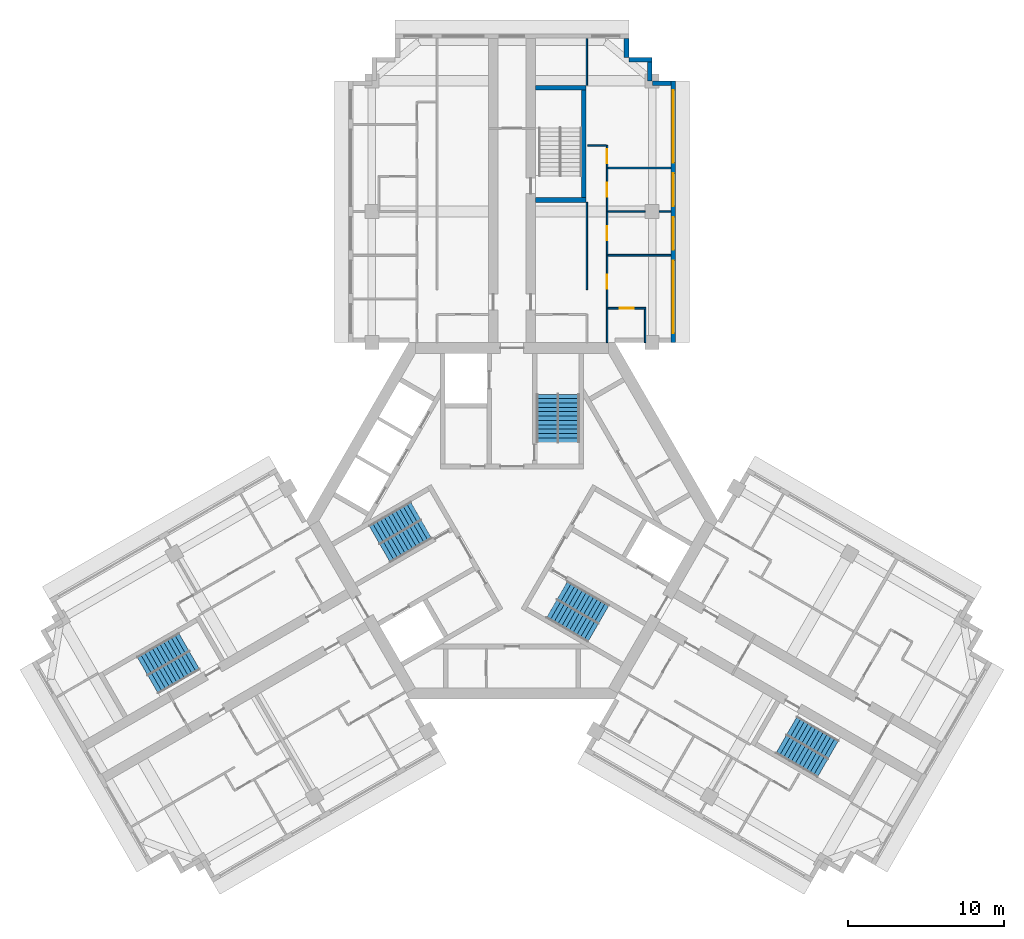
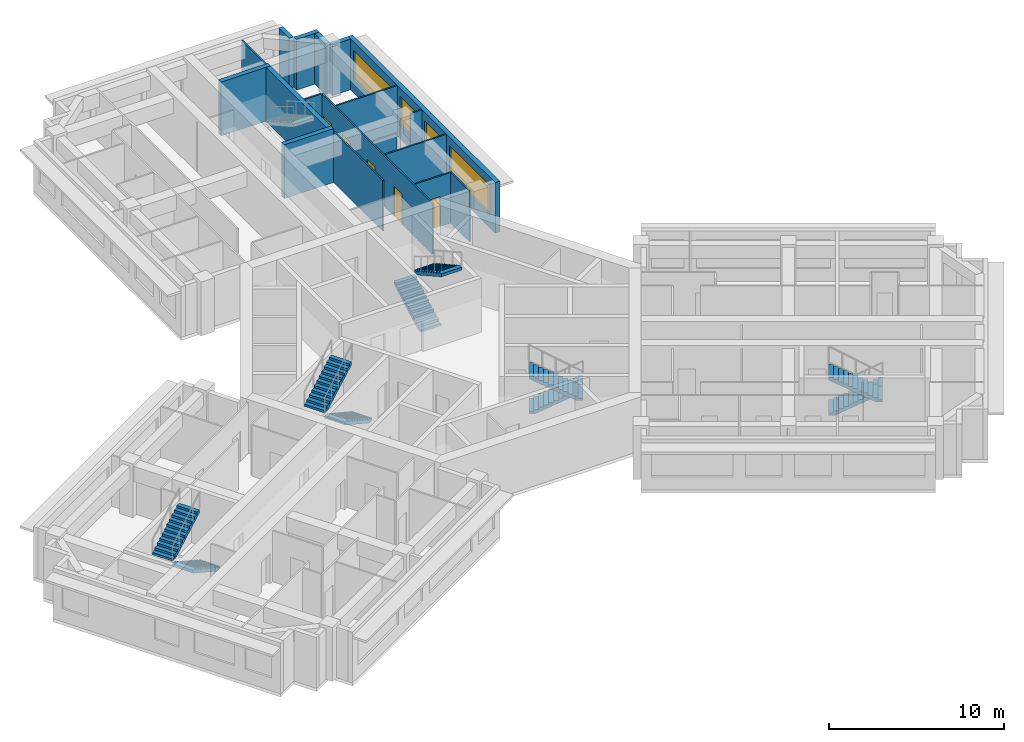
# One storey, part 8 of 10: 18 walls, 10 stair flights, 5 doors, 4 windows, 9 openings, 5 elements without a shape of their own.
"""IFC4 building model written with IfcOpenShell, lengths in metres."""

from ifc_helpers import new_model, si_unit, direction, frame, frame_2d, origin, place, context, subcontext, project, spatial, polyline, rectangle, outline, extrude, material, layer, layer_set, type_object, element, fill, aggregate, save


model = new_model("IFC4")

# Units and contexts
model_context = context("Model", 3, precision=1e-05, world=origin(), true_north=direction((0.0, 1.0)))
body_context = subcontext(model_context, "Body", "Model", "MODEL_VIEW")
ifc_project = project(units=[si_unit("LENGTHUNIT", "METRE"), si_unit("AREAUNIT", "SQUARE_METRE"), si_unit("VOLUMEUNIT", "CUBIC_METRE"), si_unit("PLANEANGLEUNIT", "RADIAN"), si_unit("MASSUNIT", "GRAM", prefix="KILO")], contexts=[model_context])

# Site, building, storey
site_placement = place(None, origin())
site = spatial("IfcSite", under=ifc_project, at=site_placement, CompositionType="ELEMENT")
building_placement = place(site_placement, origin())
building = spatial("IfcBuilding", under=site, at=building_placement, Name="Impinga Residences", CompositionType="ELEMENT")
storey_placement = place(building_placement, frame((0.0, 0.0, 252.25)))
storey = spatial("IfcBuildingStorey", under=building, at=storey_placement, Name="L63", CompositionType="ELEMENT", Elevation=252.25)

# Walls
ifc_material_1 = material(Name="Terracotta rainscreen on blockwork", Category="masonry")
ifc_layer_1 = layer(ifc_material_1, 0.300048828125)
ifc_layer_set_1 = layer_set([ifc_layer_1], Name="EW1 external wall, terracotta rainscreen on blockwork 300")
wall_type_1 = type_object("IfcWallType", Name="EW1 external wall, terracotta rainscreen on blockwork 300", PredefinedType="SOLIDWALL", material=ifc_layer_set_1)
wall_1_placement = place(storey_placement, frame((7.35009765625, 30.931640625, 0.0), z_axis=(0.0, 0.0, 1.0), x_axis=(0.0, -1.0, 0.0)))
element("IfcWall", 1, at=wall_1_placement, inside=storey, type_object=wall_type_1, Name="External wall EW1 L63", PredefinedType="SOLIDWALL", context=body_context, shape_type="SweptSolid", body=[
    extrude(rectangle(XDim=1.195068359375, YDim=0.300048828125, at=frame_2d((0.59765625, 0.0))), origin(), (0.0, 0.0, 1.0), 3.530029296875),
])
wall_2_placement = place(storey_placement, frame((7.5, 29.58154296875, 0.0), z_axis=(0.0, 0.0, 1.0), x_axis=(1.0, 0.0, 0.0)))
element("IfcWall", 2, at=wall_2_placement, inside=storey, type_object=wall_type_1, Name="External wall EW1 L63", PredefinedType="SOLIDWALL", context=body_context, shape_type="SweptSolid", body=[
    extrude(rectangle(XDim=1.5, YDim=0.300048828125, at=frame_2d((0.75, 0.0))), origin(), (0.0, 0.0, 1.0), 3.530029296875),
])
wall_3_placement = place(storey_placement, frame((8.85009765625, 29.431640625, 0.0), z_axis=(0.0, 0.0, 1.0), x_axis=(0.0, -1.0, 0.0)))
element("IfcWall", 3, at=wall_3_placement, inside=storey, type_object=wall_type_1, Name="External wall EW1 L63", PredefinedType="SOLIDWALL", context=body_context, shape_type="SweptSolid", body=[
    extrude(rectangle(XDim=1.2001953125, YDim=0.300048828125, at=frame_2d((0.60009765625, 0.0))), origin(), (0.0, 0.0, 1.0), 3.530029296875),
])
wall_4_placement = place(storey_placement, frame((9.0048828125, 28.08154296875, 0.0), z_axis=(0.0, 0.0, 1.0), x_axis=(1.0, 0.0, 0.0)))
element("IfcWall", 4, at=wall_4_placement, inside=storey, type_object=wall_type_1, Name="External wall EW1 L63", PredefinedType="SOLIDWALL", context=body_context, shape_type="SweptSolid", body=[
    extrude(rectangle(XDim=1.195068359375, YDim=0.300048828125, at=frame_2d((0.59765625, 0.0))), origin(), (0.0, 0.0, 1.0), 3.530029296875),
])

# Wall, openings, windows
wall_5_placement = place(storey_placement, frame((10.35009765625, 28.2314453125, 0.0), z_axis=(0.0, 0.0, 1.0), x_axis=(0.0, -1.0, 0.0)))
wall_5 = element("IfcWall", 5, at=wall_5_placement, inside=storey, type_object=wall_type_1, Name="External wall EW1 L63", PredefinedType="SOLIDWALL", context=body_context, shape_type="SweptSolid", body=[
    extrude(rectangle(XDim=16.7998046875, YDim=0.300048828125, at=frame_2d((8.39990234375, 0.0))), origin(), (0.0, 0.0, 1.0), 3.530029296875),
])
opening_1_placement = place(wall_5_placement, frame((0.60009765625, 0.0, 0.89990234375)))
opening_1 = element("IfcOpeningElement", 6, at=opening_1_placement, cuts=wall_5, Name="Opening W10", PredefinedType="OPENING", context=body_context, shape_type="SweptSolid", body=[
    extrude(rectangle(XDim=4.64990234375, YDim=2.050048828125, at=frame_2d((2.324951171875, 1.02490234375))), frame((0.0, 0.159912109375, 0.0), z_axis=(0.0, -1.0, 0.0), x_axis=(1.0, 0.0, 0.0)), (0.0, 0.0, 1.0), 0.320068359375),
])
opening_2_placement = place(wall_5_placement, frame((5.949951171875, 0.0, 0.89990234375)))
opening_2 = element("IfcOpeningElement", 7, at=opening_2_placement, cuts=wall_5, Name="Opening W9", PredefinedType="OPENING", context=body_context, shape_type="SweptSolid", body=[
    extrude(rectangle(XDim=2.10009765625, YDim=2.050048828125, at=frame_2d((1.050048828125, 1.02490234375))), frame((0.0, 0.159912109375, 0.0), z_axis=(0.0, -1.0, 0.0), x_axis=(1.0, 0.0, 0.0)), (0.0, 0.0, 1.0), 0.320068359375),
])
opening_3_placement = place(wall_5_placement, frame((8.75, 0.0, 0.89990234375)))
opening_3 = element("IfcOpeningElement", 8, at=opening_3_placement, cuts=wall_5, Name="Opening W9", PredefinedType="OPENING", context=body_context, shape_type="SweptSolid", body=[
    extrude(rectangle(XDim=2.10009765625, YDim=2.050048828125, at=frame_2d((1.050048828125, 1.02490234375))), frame((0.0, 0.159912109375, 0.0), z_axis=(0.0, -1.0, 0.0), x_axis=(1.0, 0.0, 0.0)), (0.0, 0.0, 1.0), 0.320068359375),
])
opening_4_placement = place(wall_5_placement, frame((11.550048828125, 0.0, 0.89990234375)))
opening_4 = element("IfcOpeningElement", 9, at=opening_4_placement, cuts=wall_5, Name="Opening W10", PredefinedType="OPENING", context=body_context, shape_type="SweptSolid", body=[
    extrude(rectangle(XDim=4.64990234375, YDim=2.050048828125, at=frame_2d((2.324951171875, 1.02490234375))), frame((0.0, 0.159912109375, 0.0), z_axis=(0.0, -1.0, 0.0), x_axis=(1.0, 0.0, 0.0)), (0.0, 0.0, 1.0), 0.320068359375),
])
ifc_material_2 = material(Name="Aluminium window, clear double glazing", Category="aluminium")
window_type_1 = type_object("IfcWindowType", Name="W10 ribbon window 4650x2050", PartitioningType="SINGLE_PANEL", PredefinedType="WINDOW", material=ifc_material_2)
window_1_placement = place(opening_1_placement, origin())
window_1 = element("IfcWindow", 10, at=window_1_placement, inside=storey, type_object=window_type_1, Name="Window L63", OverallHeight=2.050048828125, OverallWidth=4.64990234375, PartitioningType="SINGLE_PANEL", PredefinedType="WINDOW", context=body_context, shape_type="SweptSolid", body=[
    extrude(rectangle(XDim=4.64990234375, YDim=2.050048828125, at=frame_2d((2.324951171875, 1.02490234375))), frame((0.0, 0.030029296875, 0.0), z_axis=(0.0, -1.0, 0.0), x_axis=(1.0, 0.0, 0.0)), (0.0, 0.0, 1.0), 0.06005859375),
])
fill(opening_1, window_1)
window_2_placement = place(opening_4_placement, origin())
window_2 = element("IfcWindow", 11, at=window_2_placement, inside=storey, type_object=window_type_1, Name="Window L63", OverallHeight=2.050048828125, OverallWidth=4.64990234375, PartitioningType="SINGLE_PANEL", PredefinedType="WINDOW", context=body_context, shape_type="SweptSolid", body=[
    extrude(rectangle(XDim=4.64990234375, YDim=2.050048828125, at=frame_2d((2.324951171875, 1.02490234375))), frame((0.0, 0.030029296875, 0.0), z_axis=(0.0, -1.0, 0.0), x_axis=(1.0, 0.0, 0.0)), (0.0, 0.0, 1.0), 0.06005859375),
])
fill(opening_4, window_2)
window_type_2 = type_object("IfcWindowType", Name="W9 ribbon window 2100x2050", PartitioningType="SINGLE_PANEL", PredefinedType="WINDOW", material=ifc_material_2)
window_3_placement = place(opening_2_placement, origin())
window_3 = element("IfcWindow", 12, at=window_3_placement, inside=storey, type_object=window_type_2, Name="Window L63", OverallHeight=2.050048828125, OverallWidth=2.10009765625, PartitioningType="SINGLE_PANEL", PredefinedType="WINDOW", context=body_context, shape_type="SweptSolid", body=[
    extrude(rectangle(XDim=2.10009765625, YDim=2.050048828125, at=frame_2d((1.050048828125, 1.02490234375))), frame((0.0, 0.030029296875, 0.0), z_axis=(0.0, -1.0, 0.0), x_axis=(1.0, 0.0, 0.0)), (0.0, 0.0, 1.0), 0.06005859375),
])
fill(opening_2, window_3)
window_4_placement = place(opening_3_placement, origin())
window_4 = element("IfcWindow", 13, at=window_4_placement, inside=storey, type_object=window_type_2, Name="Window L63", OverallHeight=2.050048828125, OverallWidth=2.10009765625, PartitioningType="SINGLE_PANEL", PredefinedType="WINDOW", context=body_context, shape_type="SweptSolid", body=[
    extrude(rectangle(XDim=2.10009765625, YDim=2.050048828125, at=frame_2d((1.050048828125, 1.02490234375))), frame((0.0, 0.030029296875, 0.0), z_axis=(0.0, -1.0, 0.0), x_axis=(1.0, 0.0, 0.0)), (0.0, 0.0, 1.0), 0.06005859375),
])
fill(opening_3, window_4)

# Walls
ifc_material_3 = material(Name="Gypsum board on steel studs", Category="steel")
ifc_layer_2 = layer(ifc_material_3, 0.10009765625)
ifc_layer_set_2 = layer_set([ifc_layer_2], Name="Gypsum board on steel studs")
wall_type_2 = type_object("IfcWallType", Name="IP1 partition 100", PredefinedType="PARTITIONING", material=ifc_layer_set_2)
wall_6_placement = place(storey_placement, frame((4.800048828125, 14.83154296875, 0.0), z_axis=(0.0, 0.0, 1.0), x_axis=(0.0, 1.0, 0.0)))
element("IfcWall", 14, at=wall_6_placement, inside=storey, type_object=wall_type_2, Name="Partition L63-NF1:DIV1", PredefinedType="PARTITIONING", context=body_context, shape_type="SweptSolid", body=[
    extrude(rectangle(XDim=5.60009765625, YDim=0.10009765625, at=frame_2d((2.800048828125, 0.0))), origin(), (0.0, 0.0, 1.0), 3.530029296875),
])
wall_7_placement = place(storey_placement, frame((4.800048828125, 27.931640625, 0.0), z_axis=(0.0, 0.0, 1.0), x_axis=(0.0, 1.0, 0.0)))
element("IfcWall", 15, at=wall_7_placement, inside=storey, type_object=wall_type_2, Name="Partition L63-NF1:DIV2", PredefinedType="PARTITIONING", context=body_context, shape_type="SweptSolid", body=[
    extrude(rectangle(XDim=3.0, YDim=0.10009765625, at=frame_2d((1.5, 0.0))), origin(), (0.0, 0.0, 1.0), 3.530029296875),
])

# Wall, openings, doors
wall_8_placement = place(storey_placement, frame((6.10009765625, 11.431640625, 0.0), z_axis=(0.0, 0.0, 1.0), x_axis=(0.0, 1.0, 0.0)))
wall_8 = element("IfcWall", 16, at=wall_8_placement, inside=storey, type_object=wall_type_2, Name="Partition L63-NF1:STRIP", PredefinedType="PARTITIONING", context=body_context, shape_type="SweptSolid", body=[
    extrude(rectangle(XDim=12.64990234375, YDim=0.10009765625, at=frame_2d((6.324951171875, 0.0))), origin(), (0.0, 0.0, 1.0), 3.530029296875),
])
opening_5_placement = place(wall_8_placement, frame((3.449951171875, 0.0, 0.0)))
opening_5 = element("IfcOpeningElement", 17, at=opening_5_placement, cuts=wall_8, Name="Opening D2", PredefinedType="OPENING", context=body_context, shape_type="SweptSolid", body=[
    extrude(rectangle(XDim=0.89990234375, YDim=2.10009765625, at=frame_2d((0.449951171875, 1.050048828125))), frame((0.0, 0.06005859375, 0.0), z_axis=(0.0, -1.0, 0.0), x_axis=(1.0, 0.0, 0.0)), (0.0, 0.0, 1.0), 0.1201171875),
])
opening_6_placement = place(wall_8_placement, frame((6.550048828125, 0.0, 0.0)))
opening_6 = element("IfcOpeningElement", 18, at=opening_6_placement, cuts=wall_8, Name="Opening D2", PredefinedType="OPENING", context=body_context, shape_type="SweptSolid", body=[
    extrude(rectangle(XDim=0.89990234375, YDim=2.10009765625, at=frame_2d((0.449951171875, 1.050048828125))), frame((0.0, 0.06005859375, 0.0), z_axis=(0.0, -1.0, 0.0), x_axis=(1.0, 0.0, 0.0)), (0.0, 0.0, 1.0), 0.1201171875),
])
opening_7_placement = place(wall_8_placement, frame((9.35009765625, 0.0, 0.0)))
opening_7 = element("IfcOpeningElement", 19, at=opening_7_placement, cuts=wall_8, Name="Opening D2", PredefinedType="OPENING", context=body_context, shape_type="SweptSolid", body=[
    extrude(rectangle(XDim=0.89990234375, YDim=2.10009765625, at=frame_2d((0.449951171875, 1.050048828125))), frame((0.0, 0.06005859375, 0.0), z_axis=(0.0, -1.0, 0.0), x_axis=(1.0, 0.0, 0.0)), (0.0, 0.0, 1.0), 0.1201171875),
])
opening_8_placement = place(wall_8_placement, frame((11.5, 0.0, 0.0)))
opening_8 = element("IfcOpeningElement", 20, at=opening_8_placement, cuts=wall_8, Name="Opening D2", PredefinedType="OPENING", context=body_context, shape_type="SweptSolid", body=[
    extrude(rectangle(XDim=0.89990234375, YDim=2.10009765625, at=frame_2d((0.449951171875, 1.050048828125))), frame((0.0, 0.06005859375, 0.0), z_axis=(0.0, -1.0, 0.0), x_axis=(1.0, 0.0, 0.0)), (0.0, 0.0, 1.0), 0.1201171875),
])
ifc_material_4 = material(Name="Timber door set", Category="wood")
door_type = type_object("IfcDoorType", Name="D2 internal door 900x2100", OperationType="SINGLE_SWING_LEFT", PredefinedType="DOOR", material=ifc_material_4)
door_1_placement = place(opening_5_placement, origin())
door_1 = element("IfcDoor", 21, at=door_1_placement, inside=storey, type_object=door_type, Name="Apartment L63-NF1 room door", OperationType="SINGLE_SWING_LEFT", OverallHeight=2.10009765625, OverallWidth=0.89990234375, PredefinedType="DOOR", context=body_context, shape_type="SweptSolid", body=[
    extrude(rectangle(XDim=0.89990234375, YDim=2.10009765625, at=frame_2d((0.449951171875, 1.050048828125))), frame((0.0, 0.02490234375, 0.0), z_axis=(0.0, -1.0, 0.0), x_axis=(1.0, 0.0, 0.0)), (0.0, 0.0, 1.0), 0.050048828125),
])
fill(opening_5, door_1)
door_2_placement = place(opening_6_placement, origin())
door_2 = element("IfcDoor", 22, at=door_2_placement, inside=storey, type_object=door_type, Name="Apartment L63-NF1 room door", OperationType="SINGLE_SWING_RIGHT", OverallHeight=2.10009765625, OverallWidth=0.89990234375, PredefinedType="DOOR", context=body_context, shape_type="SweptSolid", body=[
    extrude(rectangle(XDim=0.89990234375, YDim=2.10009765625, at=frame_2d((0.449951171875, 1.050048828125))), frame((0.0, 0.02490234375, 0.0), z_axis=(0.0, -1.0, 0.0), x_axis=(1.0, 0.0, 0.0)), (0.0, 0.0, 1.0), 0.050048828125),
])
fill(opening_6, door_2)
door_3_placement = place(opening_7_placement, origin())
door_3 = element("IfcDoor", 23, at=door_3_placement, inside=storey, type_object=door_type, Name="Apartment L63-NF1 room door", OperationType="SINGLE_SWING_RIGHT", OverallHeight=2.10009765625, OverallWidth=0.89990234375, PredefinedType="DOOR", context=body_context, shape_type="SweptSolid", body=[
    extrude(rectangle(XDim=0.89990234375, YDim=2.10009765625, at=frame_2d((0.449951171875, 1.050048828125))), frame((0.0, 0.02490234375, 0.0), z_axis=(0.0, -1.0, 0.0), x_axis=(1.0, 0.0, 0.0)), (0.0, 0.0, 1.0), 0.050048828125),
])
fill(opening_7, door_3)
door_4_placement = place(opening_8_placement, origin())
door_4 = element("IfcDoor", 24, at=door_4_placement, inside=storey, type_object=door_type, Name="Apartment L63-NF1 room door", OperationType="SINGLE_SWING_RIGHT", OverallHeight=2.10009765625, OverallWidth=0.89990234375, PredefinedType="DOOR", context=body_context, shape_type="SweptSolid", body=[
    extrude(rectangle(XDim=0.89990234375, YDim=2.10009765625, at=frame_2d((0.449951171875, 1.050048828125))), frame((0.0, 0.02490234375, 0.0), z_axis=(0.0, -1.0, 0.0), x_axis=(1.0, 0.0, 0.0)), (0.0, 0.0, 1.0), 0.050048828125),
])
fill(opening_8, door_4)

# Walls
wall_9_placement = place(storey_placement, frame((4.85009765625, 24.08154296875, 0.0), z_axis=(0.0, 0.0, 1.0), x_axis=(1.0, 0.0, 0.0)))
element("IfcWall", 25, at=wall_9_placement, inside=storey, type_object=wall_type_2, Name="Partition L63-NF1:SE1", PredefinedType="PARTITIONING", context=body_context, shape_type="SweptSolid", body=[
    extrude(rectangle(XDim=1.199951171875, YDim=0.10009765625, at=frame_2d((0.60009765625, 0.0))), origin(), (0.0, 0.0, 1.0), 3.530029296875),
])
wall_10_placement = place(storey_placement, frame((6.14990234375, 17.031494140625, 0.0), z_axis=(0.0, 0.0, 1.0), x_axis=(1.0, 0.0, 0.0)))
element("IfcWall", 26, at=wall_10_placement, inside=storey, type_object=wall_type_2, Name="Partition L63-NF1:OB1", PredefinedType="PARTITIONING", context=body_context, shape_type="SweptSolid", body=[
    extrude(rectangle(XDim=4.050048828125, YDim=0.10009765625, at=frame_2d((2.02490234375, 0.0))), origin(), (0.0, 0.0, 1.0), 3.530029296875),
])
wall_11_placement = place(storey_placement, frame((6.14990234375, 19.83154296875, 0.0), z_axis=(0.0, 0.0, 1.0), x_axis=(1.0, 0.0, 0.0)))
element("IfcWall", 27, at=wall_11_placement, inside=storey, type_object=wall_type_2, Name="Partition L63-NF1:OB2", PredefinedType="PARTITIONING", context=body_context, shape_type="SweptSolid", body=[
    extrude(rectangle(XDim=2.400146484375, YDim=0.10009765625, at=frame_2d((1.2001953125, 0.0))), origin(), (0.0, 0.0, 1.0), 2.47998046875),
])
wall_12_placement = place(storey_placement, frame((9.449951171875, 19.83154296875, 0.0), z_axis=(0.0, 0.0, 1.0), x_axis=(1.0, 0.0, 0.0)))
element("IfcWall", 28, at=wall_12_placement, inside=storey, type_object=wall_type_2, Name="Partition L63-NF1:OB2b", PredefinedType="PARTITIONING", context=body_context, shape_type="SweptSolid", body=[
    extrude(rectangle(XDim=0.75, YDim=0.10009765625, at=frame_2d((0.375, 0.0))), origin(), (0.0, 0.0, 1.0), 3.530029296875),
])
wall_13_placement = place(storey_placement, frame((6.14990234375, 22.631591796875, 0.0), z_axis=(0.0, 0.0, 1.0), x_axis=(1.0, 0.0, 0.0)))
element("IfcWall", 29, at=wall_13_placement, inside=storey, type_object=wall_type_2, Name="Partition L63-NF1:OB3", PredefinedType="PARTITIONING", context=body_context, shape_type="SweptSolid", body=[
    extrude(rectangle(XDim=4.050048828125, YDim=0.10009765625, at=frame_2d((2.02490234375, 0.0))), origin(), (0.0, 0.0, 1.0), 3.530029296875),
])

# Wall, opening, door
wall_14_placement = place(storey_placement, frame((6.14990234375, 13.631591796875, 0.0), z_axis=(0.0, 0.0, 1.0), x_axis=(1.0, 0.0, 0.0)))
wall_14 = element("IfcWall", 30, at=wall_14_placement, inside=storey, type_object=wall_type_2, Name="Partition L63-NF1:EN1", PredefinedType="PARTITIONING", context=body_context, shape_type="SweptSolid", body=[
    extrude(rectangle(XDim=2.4501953125, YDim=0.10009765625, at=frame_2d((1.22509765625, 0.0))), origin(), (0.0, 0.0, 1.0), 3.530029296875),
])
opening_9_placement = place(wall_14_placement, frame((0.75, 0.0, 0.0)))
opening_9 = element("IfcOpeningElement", 31, at=opening_9_placement, cuts=wall_14, Name="Opening D2", PredefinedType="OPENING", context=body_context, shape_type="SweptSolid", body=[
    extrude(rectangle(XDim=0.89990234375, YDim=2.10009765625, at=frame_2d((0.449951171875, 1.050048828125))), frame((0.0, 0.06005859375, 0.0), z_axis=(0.0, -1.0, 0.0), x_axis=(1.0, 0.0, 0.0)), (0.0, 0.0, 1.0), 0.1201171875),
])
door_5_placement = place(opening_9_placement, origin())
door_5 = element("IfcDoor", 32, at=door_5_placement, inside=storey, type_object=door_type, Name="Apartment L63-NF1 en-suite door", OperationType="SINGLE_SWING_LEFT", OverallHeight=2.10009765625, OverallWidth=0.89990234375, PredefinedType="DOOR", context=body_context, shape_type="SweptSolid", body=[
    extrude(rectangle(XDim=0.89990234375, YDim=2.10009765625, at=frame_2d((0.449951171875, 1.050048828125))), frame((0.0, 0.02490234375, 0.0), z_axis=(0.0, -1.0, 0.0), x_axis=(1.0, 0.0, 0.0)), (0.0, 0.0, 1.0), 0.050048828125),
])
fill(opening_9, door_5)

# Walls
wall_15_placement = place(storey_placement, frame((8.550048828125, 11.431640625, 0.0), z_axis=(0.0, 0.0, 1.0), x_axis=(0.0, 1.0, 0.0)))
element("IfcWall", 33, at=wall_15_placement, inside=storey, type_object=wall_type_2, Name="Partition L63-NF1:EN2", PredefinedType="PARTITIONING", context=body_context, shape_type="SweptSolid", body=[
    extrude(rectangle(XDim=2.14990234375, YDim=0.10009765625, at=frame_2d((1.074951171875, 0.0))), origin(), (0.0, 0.0, 1.0), 3.530029296875),
])
ifc_material_5 = material(Name="Concrete C60/75", Category="concrete")
ifc_layer_3 = layer(ifc_material_5, 0.300048828125)
ifc_layer_set_3 = layer_set([ifc_layer_3], Name="Concrete C60/75")
wall_type_3 = type_object("IfcWallType", Name="SE1 wing stair enclosure wall 300", PredefinedType="SOLIDWALL", material=ifc_layer_set_3)
for number, where, z_axis, x_axis, name in (
    (34, (1.5, 20.58154296875, 0.0), (0.0, 0.0, 1.0), (1.0, 0.0, 0.0), "Stair enclosure wall SE1 N END0 L63"),
    (35, (1.5, 27.781494140625, 0.0), (0.0, 0.0, 1.0), (1.0, 0.0, 0.0), "Stair enclosure wall SE1 N END1 L63"),
):
    element("IfcWall", number, at=place(storey_placement, frame(where, z_axis=z_axis, x_axis=x_axis)), inside=storey, type_object=wall_type_3, Name=name, PredefinedType="SOLIDWALL", context=body_context, shape_type="SweptSolid", body=[
        extrude(rectangle(XDim=3.25, YDim=0.300048828125, at=frame_2d((1.625, 0.0))), origin(), (0.0, 0.0, 1.0), 3.75),
    ])
wall_16_placement = place(storey_placement, frame((4.60009765625, 20.7314453125, 0.0), z_axis=(0.0, 0.0, 1.0), x_axis=(0.0, 1.0, 0.0)))
element("IfcWall", 36, at=wall_16_placement, inside=storey, type_object=wall_type_3, Name="Stair enclosure wall SE1 N OUT L63", PredefinedType="SOLIDWALL", context=body_context, shape_type="SweptSolid", body=[
    extrude(rectangle(XDim=6.900146484375, YDim=0.300048828125, at=frame_2d((3.4501953125, 0.0))), origin(), (0.0, 0.0, 1.0), 3.75),
])

# Stair, stair flights
ifc_material_6 = material(Name="Concrete C40/50", Category="concrete")
stair_type_1 = type_object("IfcStairType", Name="STR core stair 3750 storey, 24 risers", PredefinedType="HALF_TURN_STAIR", material=ifc_material_6)
stair_1_placement = place(storey_placement, origin())
stair_1 = element("IfcStair", 37, at=stair_1_placement, inside=storey, type_object=stair_type_1, Name="Stair ST1 L63", PredefinedType="HALF_TURN_STAIR")
stair_flight_type = type_object("IfcStairFlightType", Name="SF 12 risers of 156", PredefinedType="STRAIGHT", material=ifc_material_6)
stair_flight_1_placement = place(storey_placement, frame((2.27490234375, 5.030029296875, 0.0), z_axis=(0.0, 0.0, 1.0), x_axis=(0.0, 1.0, 0.0)))
stair_flight_1 = element("IfcStairFlight", 38, at=stair_flight_1_placement, type_object=stair_flight_type, Name="ST1 flight 1", NumberOfRisers=12, NumberOfTreads=11, PredefinedType="STRAIGHT", RiserHeight=0.15625, TreadLength=0.28, context=body_context, shape_type="SweptSolid", body=[
    extrude(outline(polyline([(0.0, 0.0), (0.0, 0.15625), (0.280029296875, 0.15625), (0.280029296875, 0.3125), (0.56005859375, 0.3125), (0.56005859375, 0.46875), (0.840087890625, 0.46875), (0.840087890625, 0.625), (1.1201171875, 0.625), (1.1201171875, 0.78125), (1.39990234375, 0.78125), (1.39990234375, 0.9375), (1.679931640625, 0.9375), (1.679931640625, 1.09375), (1.9599609375, 1.09375), (1.9599609375, 1.25), (2.239990234375, 1.25), (2.239990234375, 1.40625), (2.52001953125, 1.40625), (2.52001953125, 1.5625), (2.800048828125, 1.5625), (2.800048828125, 1.71875), (3.080078125, 1.71875), (3.080078125, 1.875), (3.080078125, 1.5126953125), (0.369140625, 0.0), (0.0, 0.0)])), frame((0.0, 0.675048828125, 0.0), z_axis=(0.0, -1.0, 0.0), x_axis=(1.0, 0.0, 0.0)), (0.0, 0.0, 1.0), 1.35009765625),
])
stair_flight_2_placement = place(storey_placement, frame((3.625, 8.110107421875, 1.875), z_axis=(0.0, 0.0, 1.0), x_axis=(0.0, -1.0, 0.0)))
stair_flight_2 = element("IfcStairFlight", 39, at=stair_flight_2_placement, type_object=stair_flight_type, Name="ST1 flight 2", NumberOfRisers=12, NumberOfTreads=11, PredefinedType="STRAIGHT", RiserHeight=0.15625, TreadLength=0.28, context=body_context, shape_type="SweptSolid", body=[
    extrude(outline(polyline([(0.0, 0.0), (0.0, 0.15625), (0.280029296875, 0.15625), (0.280029296875, 0.3125), (0.56005859375, 0.3125), (0.56005859375, 0.46875), (0.840087890625, 0.46875), (0.840087890625, 0.625), (1.1201171875, 0.625), (1.1201171875, 0.78125), (1.39990234375, 0.78125), (1.39990234375, 0.9375), (1.679931640625, 0.9375), (1.679931640625, 1.09375), (1.9599609375, 1.09375), (1.9599609375, 1.25), (2.239990234375, 1.25), (2.239990234375, 1.40625), (2.52001953125, 1.40625), (2.52001953125, 1.5625), (2.800048828125, 1.5625), (2.800048828125, 1.71875), (3.080078125, 1.71875), (3.080078125, 1.875), (3.080078125, 1.5126953125), (0.369140625, 0.0), (0.0, 0.0)])), frame((0.0, 0.675048828125, 0.0), z_axis=(0.0, -1.0, 0.0), x_axis=(1.0, 0.0, 0.0)), (0.0, 0.0, 1.0), 1.35009765625),
])
aggregate(stair_1, [stair_flight_1, stair_flight_2])

stair_2_placement = place(storey_placement, origin())
stair_2 = element("IfcStair", 40, at=stair_2_placement, inside=storey, type_object=stair_type_1, Name="Stair ST2 L63", PredefinedType="HALF_TURN_STAIR")
stair_flight_3_placement = place(storey_placement, frame((-5.49365234375, -0.544677734375, 0.0), z_axis=(0.0, 0.0, 1.0), x_axis=(-0.866025403784, -0.5, 0.0)))
stair_flight_3 = element("IfcStairFlight", 41, at=stair_flight_3_placement, type_object=stair_flight_type, Name="ST2 flight 1", NumberOfRisers=12, NumberOfTreads=11, PredefinedType="STRAIGHT", RiserHeight=0.15625, TreadLength=0.28, context=body_context, shape_type="SweptSolid", body=[
    extrude(outline(polyline([(0.0, 0.0), (0.0, 0.15625), (0.280029296875, 0.15625), (0.280029296875, 0.3125), (0.56005859375, 0.3125), (0.56005859375, 0.46875), (0.840087890625, 0.46875), (0.840087890625, 0.625), (1.1201171875, 0.625), (1.1201171875, 0.78125), (1.39990234375, 0.78125), (1.39990234375, 0.9375), (1.679931640625, 0.9375), (1.679931640625, 1.09375), (1.9599609375, 1.09375), (1.9599609375, 1.25), (2.239990234375, 1.25), (2.239990234375, 1.40625), (2.52001953125, 1.40625), (2.52001953125, 1.5625), (2.800048828125, 1.5625), (2.800048828125, 1.71875), (3.080078125, 1.71875), (3.080078125, 1.875), (3.080078125, 1.5126953125), (0.369140625, 0.0), (0.0, 0.0)])), frame((0.0, 0.675048828125, 0.0), z_axis=(0.0, -1.0, 0.0), x_axis=(1.0, 0.0, 0.0)), (0.0, 0.0, 1.0), 1.35009765625),
])
stair_flight_4_placement = place(storey_placement, frame((-8.8359375, -0.915771484375, 1.875), z_axis=(0.0, 0.0, 1.0), x_axis=(0.866025403784, 0.5, 0.0)))
stair_flight_4 = element("IfcStairFlight", 42, at=stair_flight_4_placement, type_object=stair_flight_type, Name="ST2 flight 2", NumberOfRisers=12, NumberOfTreads=11, PredefinedType="STRAIGHT", RiserHeight=0.15625, TreadLength=0.28, context=body_context, shape_type="SweptSolid", body=[
    extrude(outline(polyline([(0.0, 0.0), (0.0, 0.15625), (0.280029296875, 0.15625), (0.280029296875, 0.3125), (0.56005859375, 0.3125), (0.56005859375, 0.46875), (0.840087890625, 0.46875), (0.840087890625, 0.625), (1.1201171875, 0.625), (1.1201171875, 0.78125), (1.39990234375, 0.78125), (1.39990234375, 0.9375), (1.679931640625, 0.9375), (1.679931640625, 1.09375), (1.9599609375, 1.09375), (1.9599609375, 1.25), (2.239990234375, 1.25), (2.239990234375, 1.40625), (2.52001953125, 1.40625), (2.52001953125, 1.5625), (2.800048828125, 1.5625), (2.800048828125, 1.71875), (3.080078125, 1.71875), (3.080078125, 1.875), (3.080078125, 1.5126953125), (0.369140625, 0.0), (0.0, 0.0)])), frame((0.0, 0.675048828125, 0.0), z_axis=(0.0, -1.0, 0.0), x_axis=(1.0, 0.0, 0.0)), (0.0, 0.0, 1.0), 1.35009765625),
])
aggregate(stair_2, [stair_flight_3, stair_flight_4])

stair_3_placement = place(storey_placement, origin())
stair_3 = element("IfcStair", 43, at=stair_3_placement, inside=storey, type_object=stair_type_1, Name="Stair ST3 L63", PredefinedType="HALF_TURN_STAIR")
stair_flight_5_placement = place(storey_placement, frame((3.218505859375, -4.485107421875, 0.0), z_axis=(0.0, 0.0, 1.0), x_axis=(0.866025403784, -0.5, 0.0)))
stair_flight_5 = element("IfcStairFlight", 44, at=stair_flight_5_placement, type_object=stair_flight_type, Name="ST3 flight 1", NumberOfRisers=12, NumberOfTreads=11, PredefinedType="STRAIGHT", RiserHeight=0.15625, TreadLength=0.28, context=body_context, shape_type="SweptSolid", body=[
    extrude(outline(polyline([(0.0, 0.0), (0.0, 0.15625), (0.280029296875, 0.15625), (0.280029296875, 0.3125), (0.56005859375, 0.3125), (0.56005859375, 0.46875), (0.840087890625, 0.46875), (0.840087890625, 0.625), (1.1201171875, 0.625), (1.1201171875, 0.78125), (1.39990234375, 0.78125), (1.39990234375, 0.9375), (1.679931640625, 0.9375), (1.679931640625, 1.09375), (1.9599609375, 1.09375), (1.9599609375, 1.25), (2.239990234375, 1.25), (2.239990234375, 1.40625), (2.52001953125, 1.40625), (2.52001953125, 1.5625), (2.800048828125, 1.5625), (2.800048828125, 1.71875), (3.080078125, 1.71875), (3.080078125, 1.875), (3.080078125, 1.5126953125), (0.369140625, 0.0), (0.0, 0.0)])), frame((0.0, 0.675048828125, 0.0), z_axis=(0.0, -1.0, 0.0), x_axis=(1.0, 0.0, 0.0)), (0.0, 0.0, 1.0), 1.35009765625),
])
stair_flight_6_placement = place(storey_placement, frame((5.2109375, -7.1943359375, 1.875), z_axis=(0.0, 0.0, 1.0), x_axis=(-0.866025403784, 0.5, 0.0)))
stair_flight_6 = element("IfcStairFlight", 45, at=stair_flight_6_placement, type_object=stair_flight_type, Name="ST3 flight 2", NumberOfRisers=12, NumberOfTreads=11, PredefinedType="STRAIGHT", RiserHeight=0.15625, TreadLength=0.28, context=body_context, shape_type="SweptSolid", body=[
    extrude(outline(polyline([(0.0, 0.0), (0.0, 0.15625), (0.280029296875, 0.15625), (0.280029296875, 0.3125), (0.56005859375, 0.3125), (0.56005859375, 0.46875), (0.840087890625, 0.46875), (0.840087890625, 0.625), (1.1201171875, 0.625), (1.1201171875, 0.78125), (1.39990234375, 0.78125), (1.39990234375, 0.9375), (1.679931640625, 0.9375), (1.679931640625, 1.09375), (1.9599609375, 1.09375), (1.9599609375, 1.25), (2.239990234375, 1.25), (2.239990234375, 1.40625), (2.52001953125, 1.40625), (2.52001953125, 1.5625), (2.800048828125, 1.5625), (2.800048828125, 1.71875), (3.080078125, 1.71875), (3.080078125, 1.875), (3.080078125, 1.5126953125), (0.369140625, 0.0), (0.0, 0.0)])), frame((0.0, 0.675048828125, 0.0), z_axis=(0.0, -1.0, 0.0), x_axis=(1.0, 0.0, 0.0)), (0.0, 0.0, 1.0), 1.35009765625),
])
aggregate(stair_3, [stair_flight_5, stair_flight_6])

stair_type_2 = type_object("IfcStairType", Name="STR wing stair 3750 storey, 24 risers", PredefinedType="HALF_TURN_STAIR", material=ifc_material_6)
stair_4_placement = place(storey_placement, origin())
stair_4 = element("IfcStair", 46, at=stair_4_placement, inside=storey, type_object=stair_type_2, Name="Stair WS2 L63", PredefinedType="HALF_TURN_STAIR")
stair_flight_7_placement = place(storey_placement, frame((-20.37890625, -8.965576171875, 0.0), z_axis=(0.0, 0.0, 1.0), x_axis=(-0.866025403784, -0.5, 0.0)))
stair_flight_7 = element("IfcStairFlight", 47, at=stair_flight_7_placement, type_object=stair_flight_type, Name="WS2 flight 1", NumberOfRisers=12, NumberOfTreads=11, PredefinedType="STRAIGHT", RiserHeight=0.15625, TreadLength=0.28, context=body_context, shape_type="SweptSolid", body=[
    extrude(outline(polyline([(0.0, 0.0), (0.0, 0.15625), (0.280029296875, 0.15625), (0.280029296875, 0.3125), (0.56005859375, 0.3125), (0.56005859375, 0.46875), (0.840087890625, 0.46875), (0.840087890625, 0.625), (1.1201171875, 0.625), (1.1201171875, 0.78125), (1.39990234375, 0.78125), (1.39990234375, 0.9375), (1.679931640625, 0.9375), (1.679931640625, 1.09375), (1.9599609375, 1.09375), (1.9599609375, 1.25), (2.239990234375, 1.25), (2.239990234375, 1.40625), (2.52001953125, 1.40625), (2.52001953125, 1.5625), (2.800048828125, 1.5625), (2.800048828125, 1.71875), (3.080078125, 1.71875), (3.080078125, 1.875), (3.080078125, 1.5126953125), (0.369140625, 0.0), (0.0, 0.0)])), frame((0.0, 0.675048828125, 0.0), z_axis=(0.0, -1.0, 0.0), x_axis=(1.0, 0.0, 0.0)), (0.0, 0.0, 1.0), 1.35009765625),
])
stair_flight_8_placement = place(storey_placement, frame((-23.721435546875, -9.33642578125, 1.875), z_axis=(0.0, 0.0, 1.0), x_axis=(0.866025403784, 0.5, 0.0)))
stair_flight_8 = element("IfcStairFlight", 48, at=stair_flight_8_placement, type_object=stair_flight_type, Name="WS2 flight 2", NumberOfRisers=12, NumberOfTreads=11, PredefinedType="STRAIGHT", RiserHeight=0.15625, TreadLength=0.28, context=body_context, shape_type="SweptSolid", body=[
    extrude(outline(polyline([(0.0, 0.0), (0.0, 0.15625), (0.280029296875, 0.15625), (0.280029296875, 0.3125), (0.56005859375, 0.3125), (0.56005859375, 0.46875), (0.840087890625, 0.46875), (0.840087890625, 0.625), (1.1201171875, 0.625), (1.1201171875, 0.78125), (1.39990234375, 0.78125), (1.39990234375, 0.9375), (1.679931640625, 0.9375), (1.679931640625, 1.09375), (1.9599609375, 1.09375), (1.9599609375, 1.25), (2.239990234375, 1.25), (2.239990234375, 1.40625), (2.52001953125, 1.40625), (2.52001953125, 1.5625), (2.800048828125, 1.5625), (2.800048828125, 1.71875), (3.080078125, 1.71875), (3.080078125, 1.875), (3.080078125, 1.5126953125), (0.369140625, 0.0), (0.0, 0.0)])), frame((0.0, 0.675048828125, 0.0), z_axis=(0.0, -1.0, 0.0), x_axis=(1.0, 0.0, 0.0)), (0.0, 0.0, 1.0), 1.35009765625),
])
aggregate(stair_4, [stair_flight_7, stair_flight_8])

stair_5_placement = place(storey_placement, origin())
stair_5 = element("IfcStair", 49, at=stair_5_placement, inside=storey, type_object=stair_type_2, Name="Stair WS3 L63", PredefinedType="HALF_TURN_STAIR")
stair_flight_9_placement = place(storey_placement, frame((17.953857421875, -13.165771484375, 0.0), z_axis=(0.0, 0.0, 1.0), x_axis=(0.866025403784, -0.5, 0.0)))
stair_flight_9 = element("IfcStairFlight", 50, at=stair_flight_9_placement, type_object=stair_flight_type, Name="WS3 flight 1", NumberOfRisers=12, NumberOfTreads=11, PredefinedType="STRAIGHT", RiserHeight=0.15625, TreadLength=0.28, context=body_context, shape_type="SweptSolid", body=[
    extrude(outline(polyline([(0.0, 0.0), (0.0, 0.15625), (0.280029296875, 0.15625), (0.280029296875, 0.3125), (0.56005859375, 0.3125), (0.56005859375, 0.46875), (0.840087890625, 0.46875), (0.840087890625, 0.625), (1.1201171875, 0.625), (1.1201171875, 0.78125), (1.39990234375, 0.78125), (1.39990234375, 0.9375), (1.679931640625, 0.9375), (1.679931640625, 1.09375), (1.9599609375, 1.09375), (1.9599609375, 1.25), (2.239990234375, 1.25), (2.239990234375, 1.40625), (2.52001953125, 1.40625), (2.52001953125, 1.5625), (2.800048828125, 1.5625), (2.800048828125, 1.71875), (3.080078125, 1.71875), (3.080078125, 1.875), (3.080078125, 1.5126953125), (0.369140625, 0.0), (0.0, 0.0)])), frame((0.0, 0.675048828125, 0.0), z_axis=(0.0, -1.0, 0.0), x_axis=(1.0, 0.0, 0.0)), (0.0, 0.0, 1.0), 1.35009765625),
])
stair_flight_10_placement = place(storey_placement, frame((19.9462890625, -15.875, 1.875), z_axis=(0.0, 0.0, 1.0), x_axis=(-0.866025403784, 0.5, 0.0)))
stair_flight_10 = element("IfcStairFlight", 51, at=stair_flight_10_placement, type_object=stair_flight_type, Name="WS3 flight 2", NumberOfRisers=12, NumberOfTreads=11, PredefinedType="STRAIGHT", RiserHeight=0.15625, TreadLength=0.28, context=body_context, shape_type="SweptSolid", body=[
    extrude(outline(polyline([(0.0, 0.0), (0.0, 0.15625), (0.280029296875, 0.15625), (0.280029296875, 0.3125), (0.56005859375, 0.3125), (0.56005859375, 0.46875), (0.840087890625, 0.46875), (0.840087890625, 0.625), (1.1201171875, 0.625), (1.1201171875, 0.78125), (1.39990234375, 0.78125), (1.39990234375, 0.9375), (1.679931640625, 0.9375), (1.679931640625, 1.09375), (1.9599609375, 1.09375), (1.9599609375, 1.25), (2.239990234375, 1.25), (2.239990234375, 1.40625), (2.52001953125, 1.40625), (2.52001953125, 1.5625), (2.800048828125, 1.5625), (2.800048828125, 1.71875), (3.080078125, 1.71875), (3.080078125, 1.875), (3.080078125, 1.5126953125), (0.369140625, 0.0), (0.0, 0.0)])), frame((0.0, 0.675048828125, 0.0), z_axis=(0.0, -1.0, 0.0), x_axis=(1.0, 0.0, 0.0)), (0.0, 0.0, 1.0), 1.35009765625),
])
aggregate(stair_5, [stair_flight_9, stair_flight_10])

save(model, "model.ifc")
